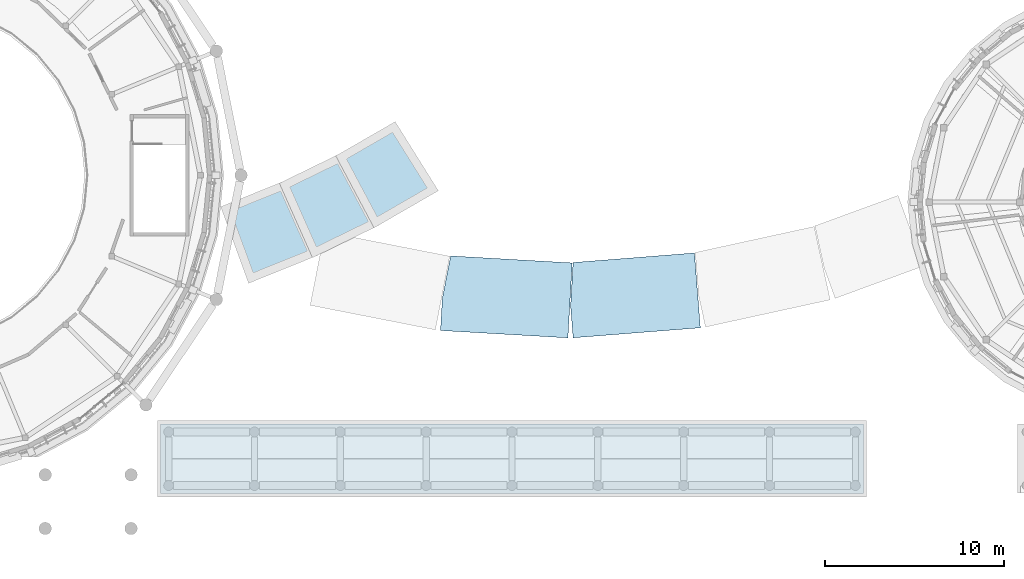
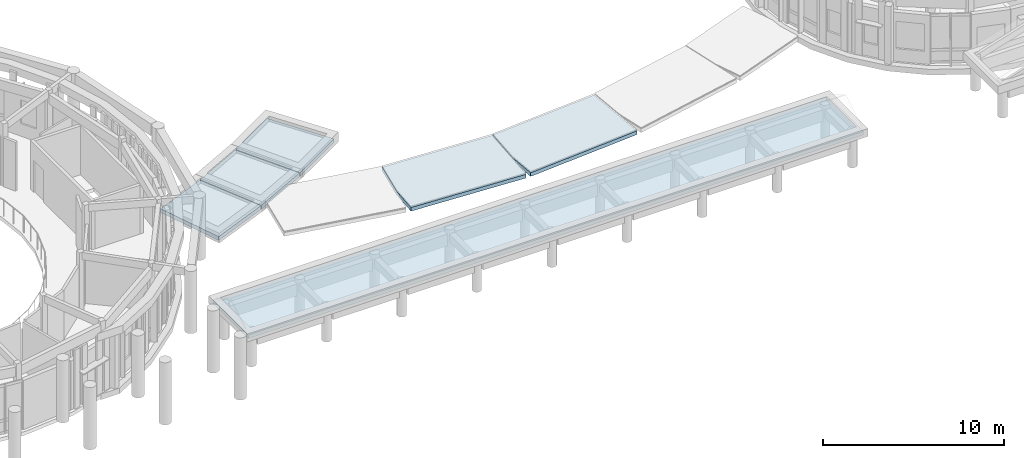
# One storey, part 34 of 80: 6 slabs.
"""IFC4 building model written with IfcOpenShell, lengths in metres."""

from ifc_helpers import new_model, si_unit, direction, frame, origin, place, context, subcontext, project, spatial, polyline, outline, extrude, material, layer, layer_set, type_object, element, save


model = new_model("IFC4")

# Units and contexts
model_context = context("Model", 3, precision=1e-05, world=origin(), true_north=direction((0.0, 1.0)))
body_context = subcontext(model_context, "Body", "Model", "MODEL_VIEW")
ifc_project = project(units=[si_unit("LENGTHUNIT", "METRE"), si_unit("AREAUNIT", "SQUARE_METRE"), si_unit("VOLUMEUNIT", "CUBIC_METRE"), si_unit("PLANEANGLEUNIT", "RADIAN"), si_unit("MASSUNIT", "GRAM", prefix="KILO")], contexts=[model_context])

# Site, building, storey
site_placement = place(None, origin())
site = spatial("IfcSite", under=ifc_project, at=site_placement, CompositionType="ELEMENT")
building_placement = place(site_placement, origin())
building = spatial("IfcBuilding", under=site, at=building_placement, Name="Aldenvaro Health Centre", CompositionType="ELEMENT")
storey_placement = place(building_placement, frame((0.0, 0.0, 4.550048828125)))
storey = spatial("IfcBuildingStorey", under=building, at=storey_placement, Name="L01", CompositionType="ELEMENT", Elevation=4.550048828125)

# Slabs
ifc_material = material(Name="Concrete f'c 40 MPa", Category="concrete")
ifc_layer = layer(ifc_material, 0.25, Name="Concrete f'c 40 MPa", Category="concrete")
ifc_layer_set = layer_set([ifc_layer], Name="Concrete f'c 40 MPa")
slab_type = type_object("IfcSlabType", Name="SLB-ROOF-250", PredefinedType="ROOF", material=ifc_layer_set)
slab_1_placement = place(storey_placement, frame((0.0, 0.0, -0.25)))
element("IfcSlab", 1, at=slab_1_placement, inside=storey, type_object=slab_type, Name="Colonnade Canopy Roof Slab 05", PredefinedType="ROOF", context=body_context, shape_type="SweptSolid", body=[
    extrude(outline(polyline([(107.5, 19.45703125), (109.2080078125, 15.6201171875), (105.674072265625, 14.193115234375), (104.238037109375, 18.138916015625), (107.5, 19.45703125)])), origin(), (0.0, 0.0, 1.0), 0.25),
])
slab_2_placement = place(storey_placement, frame((0.0, 0.0, -0.25)))
element("IfcSlab", 2, at=slab_2_placement, inside=storey, type_object=slab_type, Name="Colonnade Canopy Roof Slab 06", PredefinedType="ROOF", context=body_context, shape_type="SweptSolid", body=[
    extrude(outline(polyline([(110.660888671875, 20.9990234375), (112.633056640625, 17.291015625), (109.235107421875, 15.633056640625), (107.527099609375, 19.469970703125), (110.660888671875, 20.9990234375)])), origin(), (0.0, 0.0, 1.0), 0.25),
])
slab_3_placement = place(storey_placement, frame((0.0, 0.0, -0.25)))
element("IfcSlab", 3, at=slab_3_placement, inside=storey, type_object=slab_type, Name="Colonnade Canopy Roof Slab 07", PredefinedType="ROOF", context=body_context, shape_type="SweptSolid", body=[
    extrude(outline(polyline([(113.7080078125, 22.758056640625), (115.93408203125, 19.197021484375), (112.658935546875, 17.305908203125), (110.68701171875, 21.013916015625), (113.7080078125, 22.758056640625)])), origin(), (0.0, 0.0, 1.0), 0.25),
])
slab_4_placement = place(storey_placement, frame((0.0, 0.0, -0.25)))
element("IfcSlab", 4, at=slab_4_placement, inside=storey, type_object=slab_type, Name="South East Curved Peristyle Walkway Arc 2 roof slab", PredefinedType="ROOF", context=body_context, shape_type="SweptSolid", body=[
    extrude(outline(polyline([(123.6708984375, 15.10009765625), (123.428955078125, 10.906005859375), (116.299072265625, 11.31689453125), (116.403076171875, 13.118896484375), (116.867919921875, 15.491943359375), (123.6708984375, 15.10009765625)])), origin(), (0.0, 0.0, 1.0), 0.25),
])
slab_5_placement = place(storey_placement, frame((0.0, 0.0, -0.25)))
element("IfcSlab", 5, at=slab_5_placement, inside=storey, type_object=slab_type, Name="South East Curved Peristyle Walkway Arc 3 roof slab", PredefinedType="ROOF", context=body_context, shape_type="SweptSolid", body=[
    extrude(outline(polyline([(130.50390625, 15.656982421875), (130.833984375, 11.468994140625), (123.715087890625, 10.908935546875), (123.572998046875, 12.708984375), (123.7119140625, 15.1220703125), (130.50390625, 15.656982421875)])), origin(), (0.0, 0.0, 1.0), 0.25),
])
slab_6_placement = place(storey_placement, frame((0.0, 0.0, 2.14990234375)))
element("IfcSlab", 6, at=slab_6_placement, inside=storey, type_object=slab_type, Name="South Neoclassical Stoa E Cornice Deck", PredefinedType="ROOF", context=body_context, shape_type="SweptSolid", body=[
    extrude(outline(polyline([(100.64990234375, 2.199951171875), (139.949951171875, 2.199951171875), (139.949951171875, 6.10009765625), (100.64990234375, 6.10009765625), (100.64990234375, 2.199951171875)])), origin(), (0.0, 0.0, 1.0), 0.25),
])

save(model, "model.ifc")
